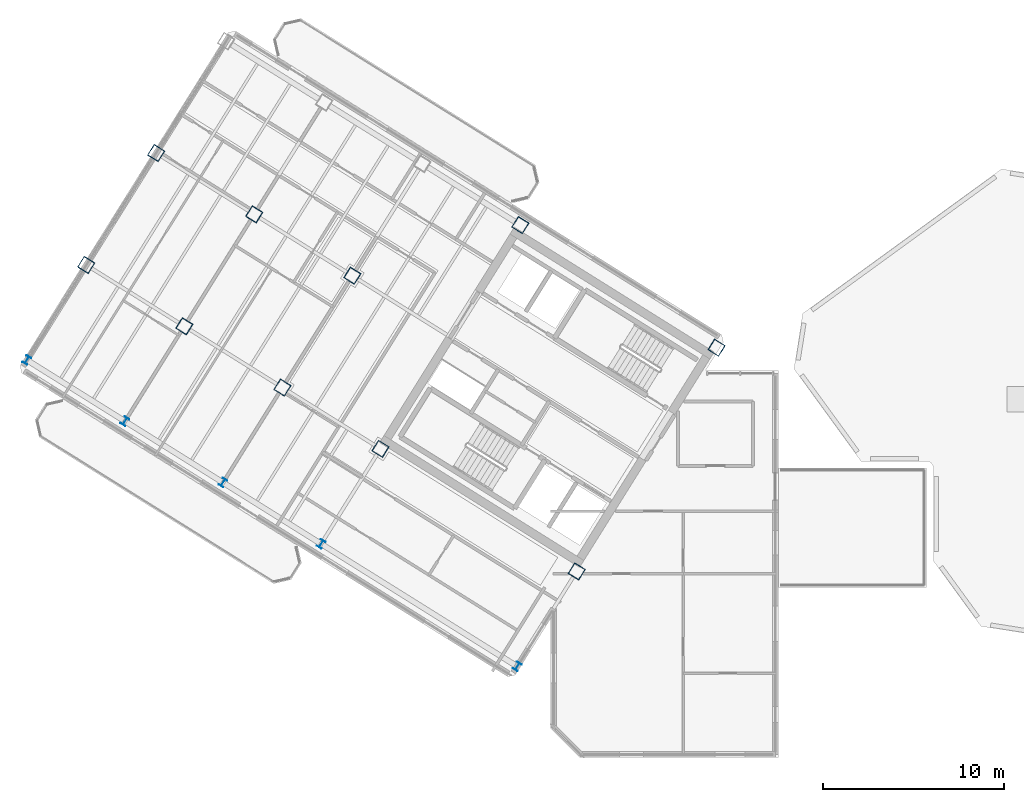
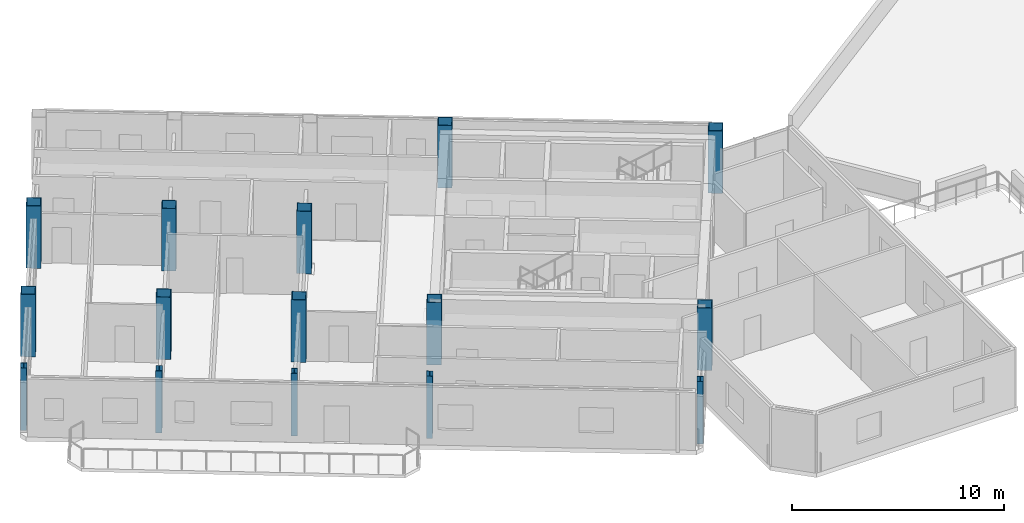
# One storey, part 1 of 14: 15 columns.
"""IFC4 building model written with IfcOpenShell, lengths in metres."""

from ifc_helpers import new_model, si_unit, direction, frame, origin, origin_2d, place, context, subcontext, project, spatial, hollow_rectangle, i_section, extrude, source, transform, mapped, material, material_profile, profile_set, type_object, element, save


model = new_model("IFC4")

# Units and contexts
model_context = context("Model", 3, precision=1e-05, world=origin(), true_north=direction((0.0, 1.0)))
body_context = subcontext(model_context, "Body", "Model", "MODEL_VIEW")
ifc_project = project(units=[si_unit("LENGTHUNIT", "METRE"), si_unit("AREAUNIT", "SQUARE_METRE"), si_unit("VOLUMEUNIT", "CUBIC_METRE"), si_unit("PLANEANGLEUNIT", "RADIAN"), si_unit("MASSUNIT", "GRAM", prefix="KILO")], contexts=[model_context])

# Site, building, storey
site_placement = place(None, origin())
site = spatial("IfcSite", under=ifc_project, at=site_placement, CompositionType="ELEMENT")
building_placement = place(site_placement, origin())
building = spatial("IfcBuilding", under=site, at=building_placement, Name="Tlacorven Tower", CompositionType="ELEMENT")
storey_placement = place(building_placement, frame((0.0, 0.0, 262.800048828125)))
storey = spatial("IfcBuildingStorey", under=building, at=storey_placement, Name="L66", CompositionType="ELEMENT", Elevation=262.800048828125)

# Columns
ifc_material_1 = material(Name="Steel S355J2", Category="steel")
ifc_material_profile_1 = material_profile(ifc_material_1, i_section(OverallWidth=0.300048828125, OverallDepth=0.449951171875, WebThickness=0.013916015625, FlangeThickness=0.02587890625, at=origin_2d()), Name="HEB 450")
ifc_profile_set_1 = profile_set([ifc_material_profile_1], Name="Steel S355J2")
column_type_1 = type_object("IfcColumnType", Name="COL-TWR-P3", PredefinedType="COLUMN", material=ifc_profile_set_1)
shared_shape_1 = source(origin(), body_context, "Body", "SweptSolid", [
    extrude(i_section(OverallWidth=0.300048828125, OverallDepth=0.449951171875, WebThickness=0.013916015625, FlangeThickness=0.02587890625, at=origin_2d()), origin(), (0.0, 0.0, 1.0), 3.599853515625),
])
for number, where, z_axis, x_axis, name in (
    (1, (29.7607421875, 6.8291015625, 0.0), (0.0, 0.0, 1.0), (-0.848048096156, 0.529919264233, 0.0), "L66 column COL-L66-W1-4"),
    (2, (18.905517578125, 13.612060546875, 0.0), (0.0, 0.0, 1.0), (-0.848048096156, 0.529919264233, 0.0), "L66 column COL-L66-W3-4"),
    (3, (13.47802734375, 17.00341796875, 0.0), (0.0, 0.0, 1.0), (-0.848048096156, 0.529919264233, 0.0), "L66 column COL-L66-W4-4"),
    (4, (8.050537109375, 20.39501953125, 0.0), (0.0, 0.0, 1.0), (-0.848048096156, 0.529919264233, 0.0), "L66 column COL-L66-W5-4"),
    (5, (2.623046875, 23.786376953125, 0.0), (0.0, 0.0, 1.0), (-0.848048096156, 0.529919264233, 0.0), "L66 column COL-L66-W6-4"),
):
    element("IfcColumn", number, at=place(storey_placement, frame(where, z_axis=z_axis, x_axis=x_axis)), inside=storey, type_object=column_type_1, Name=name, PredefinedType="COLUMN", context=body_context, shape_type="MappedRepresentation", body=[
        mapped(shared_shape_1, transform((0.0, 0.0, 0.0), scale=1.0)),
    ])
ifc_material_2 = material(Name="Steel S460M", Category="steel")
ifc_material_profile_2 = material_profile(ifc_material_2, hollow_rectangle(XDim=0.699951171875, YDim=0.699951171875, WallThickness=0.028076171875, at=origin_2d()), Name="BOX 700X700X28")
ifc_profile_set_2 = profile_set([ifc_material_profile_2], Name="Steel S460M")
column_type_2 = type_object("IfcColumnType", Name="COL-TWR-S4", PredefinedType="COLUMN", material=ifc_profile_set_2)
shared_shape_2 = source(origin(), body_context, "Body", "SweptSolid", [
    extrude(hollow_rectangle(XDim=0.699951171875, YDim=0.699951171875, WallThickness=0.028076171875, at=origin_2d()), origin(), (0.0, 0.0, 1.0), 3.599853515625),
])
for number, where, z_axis, x_axis, name in (
    (6, (40.782958984375, 24.468505859375, 0.0), (0.0, 0.0, 1.0), (-0.848048096156, 0.529919264233, 0.0), "L66 column COL-L66-W1-1"),
    (7, (33.046142578125, 12.0869140625, 0.0), (0.0, 0.0, 1.0), (-0.848048096156, 0.529919264233, 0.0), "L66 column COL-L66-W1-3"),
    (8, (29.927978515625, 31.25146484375, 0.0), (0.0, 0.0, 1.0), (-0.848048096156, 0.529919264233, 0.0), "L66 column COL-L66-W3-1"),
    (9, (22.191162109375, 18.869873046875, 0.0), (0.0, 0.0, 1.0), (-0.848048096156, 0.529919264233, 0.0), "L66 column COL-L66-W3-3"),
    (10, (20.632080078125, 28.4521484375, 0.0), (0.0, 0.0, 1.0), (-0.848048096156, 0.529919264233, 0.0), "L66 column COL-L66-W4-2"),
    (11, (16.763671875, 22.26123046875, 0.0), (0.0, 0.0, 1.0), (-0.848048096156, 0.529919264233, 0.0), "L66 column COL-L66-W4-3"),
    (12, (15.20458984375, 31.843505859375, 0.0), (0.0, 0.0, 1.0), (-0.848048096156, 0.529919264233, 0.0), "L66 column COL-L66-W5-2"),
    (13, (11.336181640625, 25.65283203125, 0.0), (0.0, 0.0, 1.0), (-0.848048096156, 0.529919264233, 0.0), "L66 column COL-L66-W5-3"),
    (14, (9.777099609375, 35.235107421875, 0.0), (0.0, 0.0, 1.0), (-0.848048096156, 0.529919264233, 0.0), "L66 column COL-L66-W6-2"),
    (15, (5.90869140625, 29.044189453125, 0.0), (0.0, 0.0, 1.0), (-0.848048096156, 0.529919264233, 0.0), "L66 column COL-L66-W6-3"),
):
    element("IfcColumn", number, at=place(storey_placement, frame(where, z_axis=z_axis, x_axis=x_axis)), inside=storey, type_object=column_type_2, Name=name, PredefinedType="COLUMN", context=body_context, shape_type="MappedRepresentation", body=[
        mapped(shared_shape_2, transform((0.0, 0.0, 0.0), scale=1.0)),
    ])

save(model, "model.ifc")
